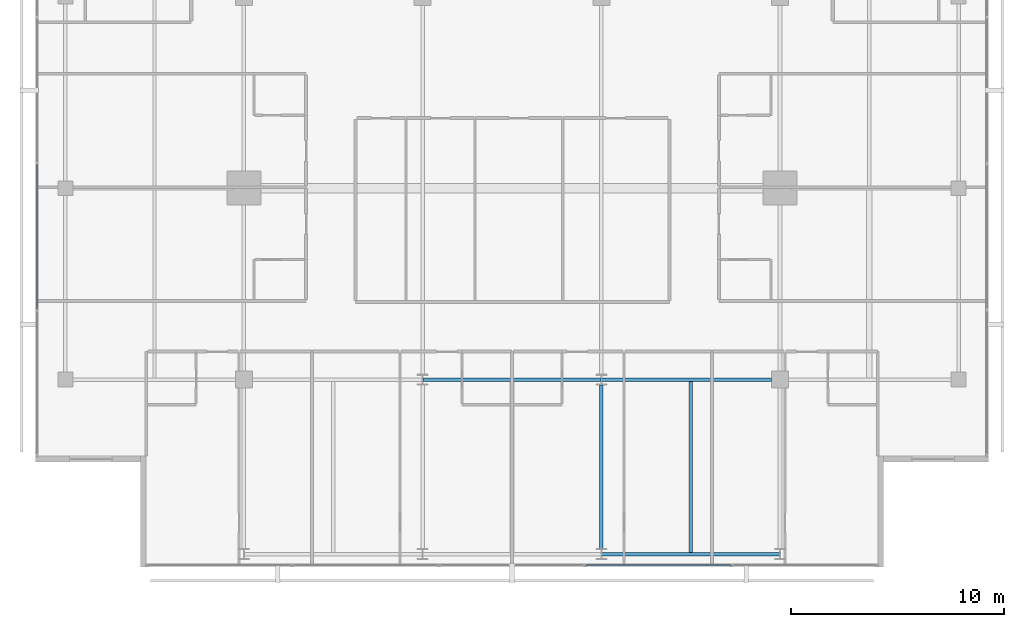
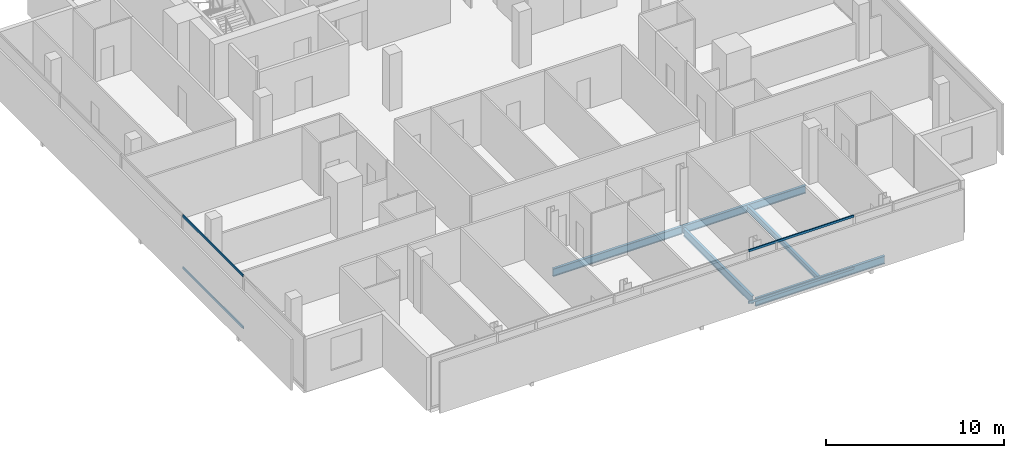
# One storey, part 7 of 25: 5 beams, 4 members, 2 elements without a shape of their own.
"""IFC4 building model written with IfcOpenShell, lengths in metres."""

from ifc_helpers import new_model, si_unit, direction, frame, origin, origin_2d, place, context, subcontext, project, spatial, hollow_rectangle, i_section, extrude, material, layer, layer_set, material_profile, profile_set, type_object, element, aggregate, save


model = new_model("IFC4")

# Units and contexts
model_context = context("Model", 3, precision=1e-05, world=origin(), true_north=direction((0.0, 1.0)))
body_context = subcontext(model_context, "Body", "Model", "MODEL_VIEW")
ifc_project = project(units=[si_unit("LENGTHUNIT", "METRE"), si_unit("AREAUNIT", "SQUARE_METRE"), si_unit("VOLUMEUNIT", "CUBIC_METRE"), si_unit("PLANEANGLEUNIT", "RADIAN"), si_unit("MASSUNIT", "GRAM", prefix="KILO")], contexts=[model_context])

# Site, building, storey
site_placement = place(None, origin())
site = spatial("IfcSite", under=ifc_project, at=site_placement, CompositionType="ELEMENT")
building_placement = place(site_placement, origin())
building = spatial("IfcBuilding", under=site, at=building_placement, Name="Maruvema Waterfront Hotel and Observation Tower", CompositionType="ELEMENT")
storey_placement = place(building_placement, frame((0.0, 0.0, 308.699951171875)))
storey = spatial("IfcBuildingStorey", under=building, at=storey_placement, Name="L76", CompositionType="ELEMENT", Elevation=308.699951171875)

# Curtain wall, members
ifc_material_1 = material(Name="Anodised bronze aluminium and solar-control low-E IGU", Category="aluminium")
ifc_layer = layer(ifc_material_1, 0.159912109375, Name="Zone 3 Champagne Inner Thermal Curtain Wall System CW-04")
ifc_layer_set = layer_set([ifc_layer], Name="Anodised bronze aluminium and solar-control low-E IGU")
curtain_wall_type = type_object("IfcCurtainWallType", Name="Zone 3 Champagne Inner Thermal Curtain Wall System CW-04", PredefinedType="USERDEFINED", material=ifc_layer_set)
curtain_wall_1_placement = place(storey_placement, origin())
curtain_wall_1 = element("IfcCurtainWall", 1, at=curtain_wall_1_placement, inside=storey, type_object=curtain_wall_type, Name="L76 Curtain Wall CW-L76-S", ObjectType="UNITISED CURTAIN WALL", PredefinedType="USERDEFINED")
ifc_material_2 = material(Name="Anodised architectural bronze aluminium", Category="aluminium")
ifc_material_profile_1 = material_profile(ifc_material_2, hollow_rectangle(XDim=0.070068359375, YDim=0.14990234375, WallThickness=0.00390625, at=origin_2d()), Name="ALU-T70x150")
ifc_profile_set_1 = profile_set([ifc_material_profile_1], Name="Anodised architectural bronze aluminium")
member_type = type_object("IfcMemberType", Name="Curtain Wall Horizontal Transom ALU-T70x150", PredefinedType="USERDEFINED", material=ifc_profile_set_1)
member_1_placement = place(storey_placement, frame((41.27001953125, 9.280029296875, 0.030029296875), z_axis=(1.0, 0.0, 0.0), x_axis=(0.0, 1.0, 0.0)))
member_1 = element("IfcMember", 2, at=member_1_placement, type_object=member_type, Name="CW-04 transom 4.1", ObjectType="TRANSOM", PredefinedType="USERDEFINED", context=body_context, shape_type="SweptSolid", body=[
    extrude(hollow_rectangle(XDim=0.070068359375, YDim=0.14990234375, WallThickness=0.00390625, at=origin_2d()), origin(), (0.0, 0.0, 1.0), 6.820068359375),
])
member_2_placement = place(storey_placement, frame((41.27001953125, 9.280029296875, 3.580078125), z_axis=(1.0, 0.0, 0.0), x_axis=(0.0, 1.0, 0.0)))
member_2 = element("IfcMember", 3, at=member_2_placement, type_object=member_type, Name="CW-04 transom 4.2", ObjectType="TRANSOM", PredefinedType="USERDEFINED", context=body_context, shape_type="SweptSolid", body=[
    extrude(hollow_rectangle(XDim=0.070068359375, YDim=0.14990234375, WallThickness=0.00390625, at=origin_2d()), origin(), (0.0, 0.0, 1.0), 6.820068359375),
])
aggregate(curtain_wall_1, [member_1, member_2])

curtain_wall_2_placement = place(storey_placement, origin())
curtain_wall_2 = element("IfcCurtainWall", 4, at=curtain_wall_2_placement, inside=storey, type_object=curtain_wall_type, Name="L76 Curtain Wall CW-L76-W", ObjectType="UNITISED CURTAIN WALL", PredefinedType="USERDEFINED")
member_3_placement = place(storey_placement, frame((15.47998046875, 28.1298828125, 0.030029296875), z_axis=(0.0, -1.0, 0.0), x_axis=(1.0, 0.0, 0.0)))
member_3 = element("IfcMember", 5, at=member_3_placement, type_object=member_type, Name="CW-04 transom 4.1", ObjectType="TRANSOM", PredefinedType="USERDEFINED", context=body_context, shape_type="SweptSolid", body=[
    extrude(hollow_rectangle(XDim=0.070068359375, YDim=0.14990234375, WallThickness=0.00390625, at=origin_2d()), origin(), (0.0, 0.0, 1.0), 6.81982421875),
])
member_4_placement = place(storey_placement, frame((15.47998046875, 28.1298828125, 3.580078125), z_axis=(0.0, -1.0, 0.0), x_axis=(1.0, 0.0, 0.0)))
member_4 = element("IfcMember", 6, at=member_4_placement, type_object=member_type, Name="CW-04 transom 4.2", ObjectType="TRANSOM", PredefinedType="USERDEFINED", context=body_context, shape_type="SweptSolid", body=[
    extrude(hollow_rectangle(XDim=0.070068359375, YDim=0.14990234375, WallThickness=0.00390625, at=origin_2d()), origin(), (0.0, 0.0, 1.0), 6.81982421875),
])
aggregate(curtain_wall_2, [member_3, member_4])

# Beams
ifc_material_3 = material(Name="Steel ASTM A572 Grade 50", Category="steel")
ifc_material_profile_2 = material_profile(ifc_material_3, i_section(OverallWidth=0.166015625, OverallDepth=0.529052734375, WebThickness=0.009765625, FlangeThickness=0.013671875, FilletRadius=0.014892578125, at=origin_2d()), Name="W530x74.0")
ifc_profile_set_2 = profile_set([ifc_material_profile_2], Name="Steel ASTM A572 Grade 50")
beam_type_1 = type_object("IfcBeamType", Name="Primary Floor Girder W530x74.0", PredefinedType="BEAM", material=ifc_profile_set_2)
for number, where, z_axis, x_axis, name in (
    (7, (42.010986328125, 9.800048828125, -0.50439453125), (1.0, 0.0, 0.0), (0.0, 1.0, 0.0), "L76 Floor Girder EW-03"),
    (8, (33.611083984375, 18.0, -0.50439453125), (1.0, 0.0, 0.0), (0.0, 1.0, 0.0), "L76 Floor Girder EW-06"),
):
    element("IfcBeam", number, at=place(storey_placement, frame(where, z_axis=z_axis, x_axis=x_axis)), inside=storey, type_object=beam_type_1, Name=name, PredefinedType="BEAM", context=body_context, shape_type="SweptSolid", body=[
        extrude(i_section(OverallWidth=0.166015625, OverallDepth=0.529052734375, WebThickness=0.009765625, FlangeThickness=0.013671875, FilletRadius=0.014892578125, at=origin_2d()), origin(), (0.0, 0.0, 1.0), 8.3779296875),
    ])
beam_1_placement = place(storey_placement, frame((42.010986328125, 18.0, -0.50439453125), z_axis=(1.0, 0.0, 0.0), x_axis=(0.0, 1.0, 0.0)))
element("IfcBeam", 9, at=beam_1_placement, inside=storey, type_object=beam_type_1, Name="L76 Floor Girder EW-07", PredefinedType="BEAM", context=body_context, shape_type="SweptSolid", body=[
    extrude(i_section(OverallWidth=0.166015625, OverallDepth=0.529052734375, WebThickness=0.009765625, FlangeThickness=0.013671875, FilletRadius=0.014892578125, at=origin_2d()), origin(), (0.0, 0.0, 1.0), 7.989013671875),
])
beam_2_placement = place(storey_placement, frame((42.0, 10.050048828125, -0.50439453125), z_axis=(0.0, 1.0, 0.0), x_axis=(-1.0, 0.0, 0.0)))
element("IfcBeam", 10, at=beam_2_placement, inside=storey, type_object=beam_type_1, Name="L76 Floor Girder NS-10", PredefinedType="BEAM", context=body_context, shape_type="SweptSolid", body=[
    extrude(i_section(OverallWidth=0.166015625, OverallDepth=0.529052734375, WebThickness=0.009765625, FlangeThickness=0.013671875, FilletRadius=0.014892578125, at=origin_2d()), origin(), (0.0, 0.0, 1.0), 7.699951171875),
])
ifc_material_4 = material(Name="Steel ASTM A572 Grade 50", Category="steel")
ifc_material_profile_3 = material_profile(ifc_material_4, i_section(OverallWidth=0.1708984375, OverallDepth=0.35498046875, WebThickness=0.007080078125, FlangeThickness=0.01171875, FilletRadius=0.014892578125, at=origin_2d()), Name="W360x51.0")
ifc_profile_set_3 = profile_set([ifc_material_profile_3], Name="Steel ASTM A572 Grade 50")
beam_type_2 = type_object("IfcBeamType", Name="Secondary Floor Joist W360x51.0", PredefinedType="JOIST", material=ifc_profile_set_3)
beam_3_placement = place(storey_placement, frame((46.199951171875, 9.883056640625, -0.41748046875), z_axis=(0.0, 1.0, 0.0), x_axis=(-1.0, 0.0, 0.0)))
element("IfcBeam", 11, at=beam_3_placement, inside=storey, type_object=beam_type_2, Name="L76 Secondary Floor Joist JS-06", PredefinedType="JOIST", context=body_context, shape_type="SweptSolid", body=[
    extrude(i_section(OverallWidth=0.1708984375, OverallDepth=0.35498046875, WebThickness=0.007080078125, FlangeThickness=0.01171875, FilletRadius=0.014892578125, at=origin_2d()), origin(), (0.0, 0.0, 1.0), 8.033935546875),
])

save(model, "model.ifc")
